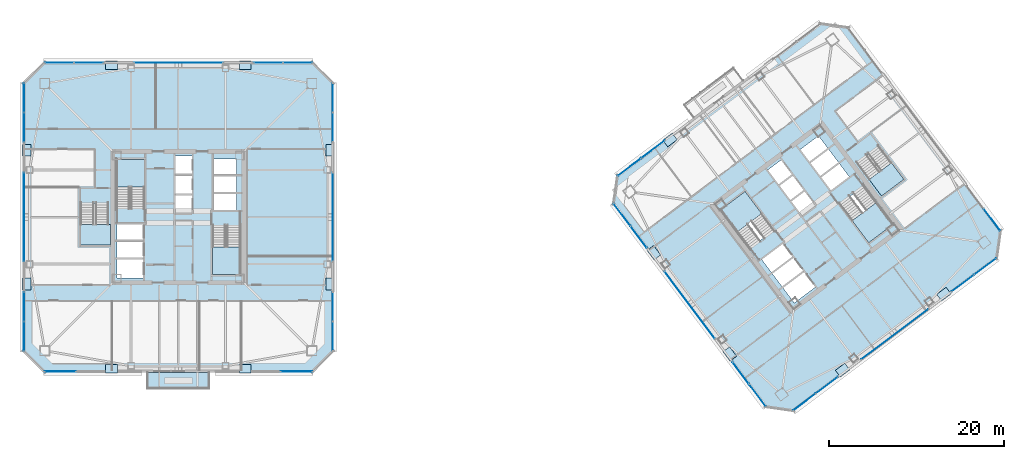
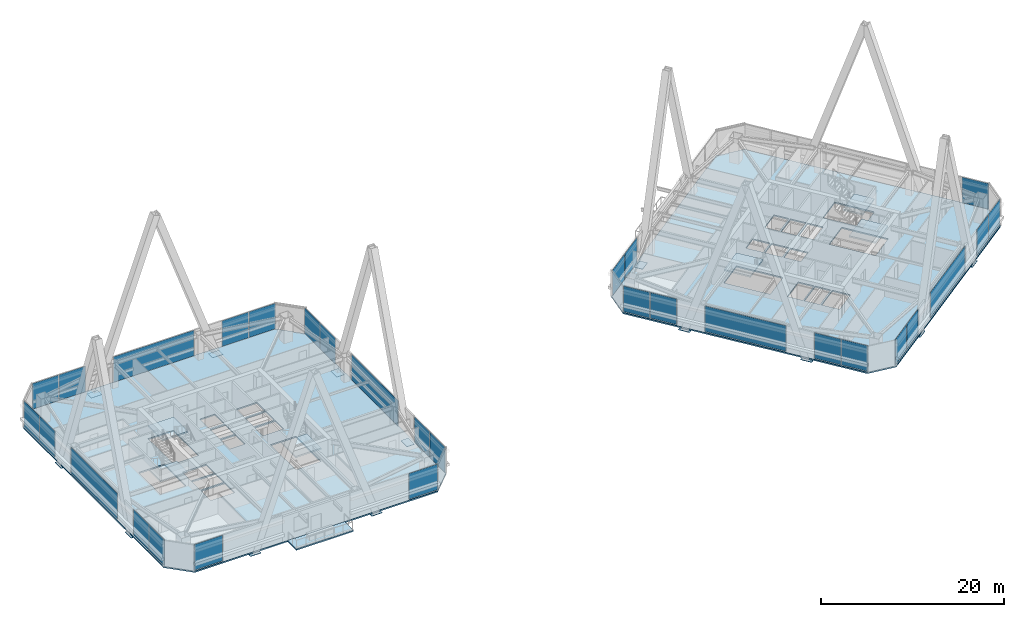
# One storey, part 43 of 55: 43 plates, 9 slabs, 25 elements without a shape of their own.
"""IFC4 building model written with IfcOpenShell, lengths in metres."""

from ifc_helpers import new_model, si_unit, direction, frame, origin, origin_2d, place, context, subcontext, project, spatial, polyline, rectangle, outline, extrude, material, layer, layer_set, type_object, element, aggregate, save


model = new_model("IFC4")

# Units and contexts
model_context = context("Model", 3, precision=1e-05, world=origin(), true_north=direction((0.0, 1.0)))
body_context = subcontext(model_context, "Body", "Model", "MODEL_VIEW")
ifc_project = project(units=[si_unit("LENGTHUNIT", "METRE"), si_unit("AREAUNIT", "SQUARE_METRE"), si_unit("VOLUMEUNIT", "CUBIC_METRE"), si_unit("PLANEANGLEUNIT", "RADIAN"), si_unit("MASSUNIT", "GRAM", prefix="KILO")], contexts=[model_context])

# Site, building, storey
site_placement = place(None, origin())
site = spatial("IfcSite", under=ifc_project, at=site_placement, CompositionType="ELEMENT")
building_placement = place(site_placement, origin())
building = spatial("IfcBuilding", under=site, at=building_placement, Name="Tashvorn Skyway Center", CompositionType="ELEMENT")
storey_placement = place(building_placement, frame((0.0, 0.0, 178.300048828125)))
storey = spatial("IfcBuildingStorey", under=building, at=storey_placement, Name="L48", CompositionType="ELEMENT", Elevation=178.300048828125)

# Curtain wall, plate
ifc_material_1 = material(Name="Thermally broken bronze-anodized aluminium 6063-T6", Category="aluminium")
curtain_wall_type = type_object("IfcCurtainWallType", Name="CW-CW-Z4", PredefinedType="NOTDEFINED", material=ifc_material_1)
curtain_wall_1_placement = place(storey_placement, origin())
curtain_wall_1 = element("IfcCurtainWall", 1, at=curtain_wall_1_placement, inside=storey, type_object=curtain_wall_type, Name="Tower 1 L48 South Curtain Wall L Glazing Group 1", PredefinedType="NOTDEFINED")
ifc_material_2 = material(Name="Low-E solar-control double insulating safety glass", Category="glass")
ifc_layer_1 = layer(ifc_material_2, 0.035888671875)
ifc_layer_set_1 = layer_set([ifc_layer_1], Name="Low-E solar-control double insulating safety glass")
plate_type_1 = type_object("IfcPlateType", Name="CWP-CW-Z4", PredefinedType="CURTAIN_PANEL", material=ifc_layer_set_1)
plate_1_placement = place(storey_placement, frame((55.52490234375, 14.320068359375, 0.06982421875), z_axis=(0.0, 0.0, 1.0), x_axis=(-1.0, 0.0, 0.0)))
plate_1 = element("IfcPlate", 2, at=plate_1_placement, type_object=plate_type_1, Name="CW-Z4 panel 1.1", PredefinedType="CURTAIN_PANEL", context=body_context, shape_type="SweptSolid", body=[
    extrude(rectangle(XDim=3.570068359375, YDim=0.035888671875, at=origin_2d()), origin(), (0.0, 0.0, 1.0), 3.409912109375),
])
aggregate(curtain_wall_1, [plate_1])

curtain_wall_2_placement = place(storey_placement, origin())
curtain_wall_2 = element("IfcCurtainWall", 3, at=curtain_wall_2_placement, inside=storey, type_object=curtain_wall_type, Name="Tower 1 L48 South Curtain Wall R Glazing Group 1", PredefinedType="NOTDEFINED")
plate_2_placement = place(storey_placement, frame((28.47509765625, 14.320068359375, 0.06982421875), z_axis=(0.0, 0.0, 1.0), x_axis=(-1.0, 0.0, 0.0)))
plate_2 = element("IfcPlate", 4, at=plate_2_placement, type_object=plate_type_1, Name="CW-Z4 panel 1.1", PredefinedType="CURTAIN_PANEL", context=body_context, shape_type="SweptSolid", body=[
    extrude(rectangle(XDim=3.570068359375, YDim=0.035888671875, at=origin_2d()), origin(), (0.0, 0.0, 1.0), 3.409912109375),
])
aggregate(curtain_wall_2, [plate_2])

# Curtain wall, plates
curtain_wall_3_placement = place(storey_placement, origin())
curtain_wall_3 = element("IfcCurtainWall", 5, at=curtain_wall_3_placement, inside=storey, type_object=curtain_wall_type, Name="Tower 1 L48 West Unitised Curtain Wall Glazing Group 1", PredefinedType="NOTDEFINED")
plate_3_placement = place(storey_placement, frame((24.320068359375, 18.346435546875, 0.06982421875), z_axis=(0.0, 0.0, 1.0), x_axis=(0.0, 1.0, 0.0)))
plate_3 = element("IfcPlate", 6, at=plate_3_placement, type_object=plate_type_1, Name="CW-Z4 panel 1.1", PredefinedType="CURTAIN_PANEL", context=body_context, shape_type="SweptSolid", body=[
    extrude(rectangle(XDim=3.312744140625, YDim=0.035888671875, at=origin_2d()), origin(), (0.0, 0.0, 1.0), 3.409912109375),
])
plate_4_placement = place(storey_placement, frame((24.320068359375, 21.729248046875, 0.06982421875), z_axis=(0.0, 0.0, 1.0), x_axis=(0.0, 1.0, 0.0)))
plate_4 = element("IfcPlate", 7, at=plate_4_placement, type_object=plate_type_1, Name="CW-Z4 panel 2.1", PredefinedType="CURTAIN_PANEL", context=body_context, shape_type="SweptSolid", body=[
    extrude(rectangle(XDim=3.312744140625, YDim=0.035888671875, at=origin_2d()), origin(), (0.0, 0.0, 1.0), 3.409912109375),
])
aggregate(curtain_wall_3, [plate_3, plate_4])

# Curtain wall, plate
curtain_wall_4_placement = place(storey_placement, origin())
curtain_wall_4 = element("IfcCurtainWall", 8, at=curtain_wall_4_placement, inside=storey, type_object=curtain_wall_type, Name="Tower 1 L48 West Unitised Curtain Wall Glazing Group 2", PredefinedType="NOTDEFINED")
plate_5_placement = place(storey_placement, frame((24.320068359375, 32.0, 0.06982421875), z_axis=(0.0, 0.0, 1.0), x_axis=(0.0, 1.0, 0.0)))
plate_5 = element("IfcPlate", 9, at=plate_5_placement, type_object=plate_type_1, Name="CW-Z4 panel 1.1", PredefinedType="CURTAIN_PANEL", context=body_context, shape_type="SweptSolid", body=[
    extrude(rectangle(XDim=10.11328125, YDim=0.035888671875, at=origin_2d()), origin(), (0.0, 0.0, 1.0), 3.409912109375),
])
aggregate(curtain_wall_4, [plate_5])

# Curtain wall, plates
curtain_wall_5_placement = place(storey_placement, origin())
curtain_wall_5 = element("IfcCurtainWall", 10, at=curtain_wall_5_placement, inside=storey, type_object=curtain_wall_type, Name="Tower 1 L48 West Unitised Curtain Wall Glazing Group 3", PredefinedType="NOTDEFINED")
plate_6_placement = place(storey_placement, frame((24.320068359375, 42.270751953125, 0.06982421875), z_axis=(0.0, 0.0, 1.0), x_axis=(0.0, 1.0, 0.0)))
plate_6 = element("IfcPlate", 11, at=plate_6_placement, type_object=plate_type_1, Name="CW-Z4 panel 1.1", PredefinedType="CURTAIN_PANEL", context=body_context, shape_type="SweptSolid", body=[
    extrude(rectangle(XDim=3.312744140625, YDim=0.035888671875, at=origin_2d()), origin(), (0.0, 0.0, 1.0), 3.409912109375),
])
plate_7_placement = place(storey_placement, frame((24.320068359375, 45.653564453125, 0.06982421875), z_axis=(0.0, 0.0, 1.0), x_axis=(0.0, 1.0, 0.0)))
plate_7 = element("IfcPlate", 12, at=plate_7_placement, type_object=plate_type_1, Name="CW-Z4 panel 2.1", PredefinedType="CURTAIN_PANEL", context=body_context, shape_type="SweptSolid", body=[
    extrude(rectangle(XDim=3.312744140625, YDim=0.035888671875, at=origin_2d()), origin(), (0.0, 0.0, 1.0), 3.409912109375),
])
aggregate(curtain_wall_5, [plate_6, plate_7])

curtain_wall_6_placement = place(storey_placement, origin())
curtain_wall_6 = element("IfcCurtainWall", 13, at=curtain_wall_6_placement, inside=storey, type_object=curtain_wall_type, Name="Tower 1 L48 North Unitised Curtain Wall Glazing Group 1", PredefinedType="NOTDEFINED")
plate_8_placement = place(storey_placement, frame((28.346435546875, 49.679931640625, 0.06982421875), z_axis=(0.0, 0.0, 1.0), x_axis=(1.0, 0.0, 0.0)))
plate_8 = element("IfcPlate", 14, at=plate_8_placement, type_object=plate_type_1, Name="CW-Z4 panel 1.1", PredefinedType="CURTAIN_PANEL", context=body_context, shape_type="SweptSolid", body=[
    extrude(rectangle(XDim=3.312744140625, YDim=0.035888671875, at=origin_2d()), origin(), (0.0, 0.0, 1.0), 3.409912109375),
])
plate_9_placement = place(storey_placement, frame((31.729248046875, 49.679931640625, 0.06982421875), z_axis=(0.0, 0.0, 1.0), x_axis=(1.0, 0.0, 0.0)))
plate_9 = element("IfcPlate", 15, at=plate_9_placement, type_object=plate_type_1, Name="CW-Z4 panel 2.1", PredefinedType="CURTAIN_PANEL", context=body_context, shape_type="SweptSolid", body=[
    extrude(rectangle(XDim=3.312744140625, YDim=0.035888671875, at=origin_2d()), origin(), (0.0, 0.0, 1.0), 3.409912109375),
])
aggregate(curtain_wall_6, [plate_8, plate_9])

# Curtain wall, plate
curtain_wall_7_placement = place(storey_placement, origin())
curtain_wall_7 = element("IfcCurtainWall", 16, at=curtain_wall_7_placement, inside=storey, type_object=curtain_wall_type, Name="Tower 1 L48 North Unitised Curtain Wall Glazing Group 2", PredefinedType="NOTDEFINED")
plate_10_placement = place(storey_placement, frame((42.0, 49.679931640625, 0.06982421875), z_axis=(0.0, 0.0, 1.0), x_axis=(1.0, 0.0, 0.0)))
plate_10 = element("IfcPlate", 17, at=plate_10_placement, type_object=plate_type_1, Name="CW-Z4 panel 1.1", PredefinedType="CURTAIN_PANEL", context=body_context, shape_type="SweptSolid", body=[
    extrude(rectangle(XDim=10.11328125, YDim=0.035888671875, at=origin_2d()), origin(), (0.0, 0.0, 1.0), 3.409912109375),
])
aggregate(curtain_wall_7, [plate_10])

# Curtain wall, plates
curtain_wall_8_placement = place(storey_placement, origin())
curtain_wall_8 = element("IfcCurtainWall", 18, at=curtain_wall_8_placement, inside=storey, type_object=curtain_wall_type, Name="Tower 1 L48 North Unitised Curtain Wall Glazing Group 3", PredefinedType="NOTDEFINED")
plate_11_placement = place(storey_placement, frame((52.270751953125, 49.679931640625, 0.06982421875), z_axis=(0.0, 0.0, 1.0), x_axis=(1.0, 0.0, 0.0)))
plate_11 = element("IfcPlate", 19, at=plate_11_placement, type_object=plate_type_1, Name="CW-Z4 panel 1.1", PredefinedType="CURTAIN_PANEL", context=body_context, shape_type="SweptSolid", body=[
    extrude(rectangle(XDim=3.312744140625, YDim=0.035888671875, at=origin_2d()), origin(), (0.0, 0.0, 1.0), 3.409912109375),
])
plate_12_placement = place(storey_placement, frame((55.653564453125, 49.679931640625, 0.06982421875), z_axis=(0.0, 0.0, 1.0), x_axis=(1.0, 0.0, 0.0)))
plate_12 = element("IfcPlate", 20, at=plate_12_placement, type_object=plate_type_1, Name="CW-Z4 panel 2.1", PredefinedType="CURTAIN_PANEL", context=body_context, shape_type="SweptSolid", body=[
    extrude(rectangle(XDim=3.312744140625, YDim=0.035888671875, at=origin_2d()), origin(), (0.0, 0.0, 1.0), 3.409912109375),
])
aggregate(curtain_wall_8, [plate_11, plate_12])

curtain_wall_9_placement = place(storey_placement, origin())
curtain_wall_9 = element("IfcCurtainWall", 21, at=curtain_wall_9_placement, inside=storey, type_object=curtain_wall_type, Name="Tower 1 L48 East Unitised Curtain Wall Glazing Group 1", PredefinedType="NOTDEFINED")
plate_13_placement = place(storey_placement, frame((59.679931640625, 45.653564453125, 0.06982421875), z_axis=(0.0, 0.0, 1.0), x_axis=(0.0, -1.0, 0.0)))
plate_13 = element("IfcPlate", 22, at=plate_13_placement, type_object=plate_type_1, Name="CW-Z4 panel 1.1", PredefinedType="CURTAIN_PANEL", context=body_context, shape_type="SweptSolid", body=[
    extrude(rectangle(XDim=3.312744140625, YDim=0.035888671875, at=origin_2d()), origin(), (0.0, 0.0, 1.0), 3.409912109375),
])
plate_14_placement = place(storey_placement, frame((59.679931640625, 42.270751953125, 0.06982421875), z_axis=(0.0, 0.0, 1.0), x_axis=(0.0, -1.0, 0.0)))
plate_14 = element("IfcPlate", 23, at=plate_14_placement, type_object=plate_type_1, Name="CW-Z4 panel 2.1", PredefinedType="CURTAIN_PANEL", context=body_context, shape_type="SweptSolid", body=[
    extrude(rectangle(XDim=3.312744140625, YDim=0.035888671875, at=origin_2d()), origin(), (0.0, 0.0, 1.0), 3.409912109375),
])
aggregate(curtain_wall_9, [plate_13, plate_14])

# Curtain wall, plate
curtain_wall_10_placement = place(storey_placement, origin())
curtain_wall_10 = element("IfcCurtainWall", 24, at=curtain_wall_10_placement, inside=storey, type_object=curtain_wall_type, Name="Tower 1 L48 East Unitised Curtain Wall Glazing Group 2", PredefinedType="NOTDEFINED")
plate_15_placement = place(storey_placement, frame((59.679931640625, 32.0, 0.06982421875), z_axis=(0.0, 0.0, 1.0), x_axis=(0.0, -1.0, 0.0)))
plate_15 = element("IfcPlate", 25, at=plate_15_placement, type_object=plate_type_1, Name="CW-Z4 panel 1.1", PredefinedType="CURTAIN_PANEL", context=body_context, shape_type="SweptSolid", body=[
    extrude(rectangle(XDim=10.11328125, YDim=0.035888671875, at=origin_2d()), origin(), (0.0, 0.0, 1.0), 3.409912109375),
])
aggregate(curtain_wall_10, [plate_15])

# Curtain wall, plates
curtain_wall_11_placement = place(storey_placement, origin())
curtain_wall_11 = element("IfcCurtainWall", 26, at=curtain_wall_11_placement, inside=storey, type_object=curtain_wall_type, Name="Tower 1 L48 East Unitised Curtain Wall Glazing Group 3", PredefinedType="NOTDEFINED")
plate_16_placement = place(storey_placement, frame((59.679931640625, 21.729248046875, 0.06982421875), z_axis=(0.0, 0.0, 1.0), x_axis=(0.0, -1.0, 0.0)))
plate_16 = element("IfcPlate", 27, at=plate_16_placement, type_object=plate_type_1, Name="CW-Z4 panel 1.1", PredefinedType="CURTAIN_PANEL", context=body_context, shape_type="SweptSolid", body=[
    extrude(rectangle(XDim=3.312744140625, YDim=0.035888671875, at=origin_2d()), origin(), (0.0, 0.0, 1.0), 3.409912109375),
])
plate_17_placement = place(storey_placement, frame((59.679931640625, 18.346435546875, 0.06982421875), z_axis=(0.0, 0.0, 1.0), x_axis=(0.0, -1.0, 0.0)))
plate_17 = element("IfcPlate", 28, at=plate_17_placement, type_object=plate_type_1, Name="CW-Z4 panel 2.1", PredefinedType="CURTAIN_PANEL", context=body_context, shape_type="SweptSolid", body=[
    extrude(rectangle(XDim=3.312744140625, YDim=0.035888671875, at=origin_2d()), origin(), (0.0, 0.0, 1.0), 3.409912109375),
])
aggregate(curtain_wall_11, [plate_16, plate_17])

curtain_wall_12_placement = place(storey_placement, origin())
curtain_wall_12 = element("IfcCurtainWall", 29, at=curtain_wall_12_placement, inside=storey, type_object=curtain_wall_type, Name="Tower 2 L48 South Unitised Curtain Wall Glazing Group 1", PredefinedType="NOTDEFINED")
plate_18_placement = place(storey_placement, frame((134.422119140625, 26.341552734375, 0.06982421875), z_axis=(0.0, 0.0, 1.0), x_axis=(-0.799999999998, -0.600000000002, 0.0)))
plate_18 = element("IfcPlate", 30, at=plate_18_placement, type_object=plate_type_1, Name="CW-Z4 panel 1.1", PredefinedType="CURTAIN_PANEL", context=body_context, shape_type="SweptSolid", body=[
    extrude(rectangle(XDim=3.135009765625, YDim=0.035888671875, at=origin_2d()), origin(), (0.0, 0.0, 1.0), 3.409912109375),
])
plate_19_placement = place(storey_placement, frame((131.85791015625, 24.41845703125, 0.06982421875), z_axis=(0.0, 0.0, 1.0), x_axis=(-0.799999999998, -0.600000000002, 0.0)))
plate_19 = element("IfcPlate", 31, at=plate_19_placement, type_object=plate_type_1, Name="CW-Z4 panel 2.1", PredefinedType="CURTAIN_PANEL", context=body_context, shape_type="SweptSolid", body=[
    extrude(rectangle(XDim=3.135009765625, YDim=0.035888671875, at=origin_2d()), origin(), (0.0, 0.0, 1.0), 3.409912109375),
])
aggregate(curtain_wall_12, [plate_18, plate_19])

# Curtain wall, plate
curtain_wall_13_placement = place(storey_placement, origin())
curtain_wall_13 = element("IfcCurtainWall", 32, at=curtain_wall_13_placement, inside=storey, type_object=curtain_wall_type, Name="Tower 2 L48 South Unitised Curtain Wall Glazing Group 2", PredefinedType="NOTDEFINED")
plate_20_placement = place(storey_placement, frame((124.068115234375, 18.575927734375, 0.06982421875), z_axis=(0.0, 0.0, 1.0), x_axis=(-0.799999999998, -0.600000000002, 0.0)))
plate_20 = element("IfcPlate", 33, at=plate_20_placement, type_object=plate_type_1, Name="CW-Z4 panel 1.1", PredefinedType="CURTAIN_PANEL", context=body_context, shape_type="SweptSolid", body=[
    extrude(rectangle(XDim=9.580078125, YDim=0.035888671875, at=origin_2d()), origin(), (0.0, 0.0, 1.0), 3.409912109375),
])
aggregate(curtain_wall_13, [plate_20])

# Curtain wall, plates
curtain_wall_14_placement = place(storey_placement, origin())
curtain_wall_14 = element("IfcCurtainWall", 34, at=curtain_wall_14_placement, inside=storey, type_object=curtain_wall_type, Name="Tower 2 L48 South Unitised Curtain Wall Glazing Group 3", PredefinedType="NOTDEFINED")
plate_21_placement = place(storey_placement, frame((116.278076171875, 12.7333984375, 0.06982421875), z_axis=(0.0, 0.0, 1.0), x_axis=(-0.799999999998, -0.600000000002, 0.0)))
plate_21 = element("IfcPlate", 35, at=plate_21_placement, type_object=plate_type_1, Name="CW-Z4 panel 1.1", PredefinedType="CURTAIN_PANEL", context=body_context, shape_type="SweptSolid", body=[
    extrude(rectangle(XDim=3.135009765625, YDim=0.035888671875, at=origin_2d()), origin(), (0.0, 0.0, 1.0), 3.409912109375),
])
plate_22_placement = place(storey_placement, frame((113.714111328125, 10.810546875, 0.06982421875), z_axis=(0.0, 0.0, 1.0), x_axis=(-0.799999999998, -0.600000000002, 0.0)))
plate_22 = element("IfcPlate", 36, at=plate_22_placement, type_object=plate_type_1, Name="CW-Z4 panel 2.1", PredefinedType="CURTAIN_PANEL", context=body_context, shape_type="SweptSolid", body=[
    extrude(rectangle(XDim=3.135009765625, YDim=0.035888671875, at=origin_2d()), origin(), (0.0, 0.0, 1.0), 3.409912109375),
])
aggregate(curtain_wall_14, [plate_21, plate_22])

curtain_wall_15_placement = place(storey_placement, origin())
curtain_wall_15 = element("IfcCurtainWall", 37, at=curtain_wall_15_placement, inside=storey, type_object=curtain_wall_type, Name="Tower 2 L48 West Unitised Curtain Wall Glazing Group 1", PredefinedType="NOTDEFINED")
plate_23_placement = place(storey_placement, frame((108.341552734375, 11.577880859375, 0.06982421875), z_axis=(0.0, 0.0, 1.0), x_axis=(-0.600000000002, 0.799999999998, 0.0)))
plate_23 = element("IfcPlate", 38, at=plate_23_placement, type_object=plate_type_1, Name="CW-Z4 panel 1.1", PredefinedType="CURTAIN_PANEL", context=body_context, shape_type="SweptSolid", body=[
    extrude(rectangle(XDim=3.135009765625, YDim=0.035888671875, at=origin_2d()), origin(), (0.0, 0.0, 1.0), 3.409912109375),
])
plate_24_placement = place(storey_placement, frame((106.41845703125, 14.14208984375, 0.06982421875), z_axis=(0.0, 0.0, 1.0), x_axis=(-0.600000000002, 0.799999999998, 0.0)))
plate_24 = element("IfcPlate", 39, at=plate_24_placement, type_object=plate_type_1, Name="CW-Z4 panel 2.1", PredefinedType="CURTAIN_PANEL", context=body_context, shape_type="SweptSolid", body=[
    extrude(rectangle(XDim=3.135009765625, YDim=0.035888671875, at=origin_2d()), origin(), (0.0, 0.0, 1.0), 3.409912109375),
])
aggregate(curtain_wall_15, [plate_23, plate_24])

# Curtain wall, plate
curtain_wall_16_placement = place(storey_placement, origin())
curtain_wall_16 = element("IfcCurtainWall", 40, at=curtain_wall_16_placement, inside=storey, type_object=curtain_wall_type, Name="Tower 2 L48 West Unitised Curtain Wall Glazing Group 2", PredefinedType="NOTDEFINED")
plate_25_placement = place(storey_placement, frame((100.575927734375, 21.931884765625, 0.06982421875), z_axis=(0.0, 0.0, 1.0), x_axis=(-0.600000000002, 0.799999999998, 0.0)))
plate_25 = element("IfcPlate", 41, at=plate_25_placement, type_object=plate_type_1, Name="CW-Z4 panel 1.1", PredefinedType="CURTAIN_PANEL", context=body_context, shape_type="SweptSolid", body=[
    extrude(rectangle(XDim=9.580078125, YDim=0.035888671875, at=origin_2d()), origin(), (0.0, 0.0, 1.0), 3.409912109375),
])
aggregate(curtain_wall_16, [plate_25])

# Curtain wall, plates
curtain_wall_17_placement = place(storey_placement, origin())
curtain_wall_17 = element("IfcCurtainWall", 42, at=curtain_wall_17_placement, inside=storey, type_object=curtain_wall_type, Name="Tower 2 L48 West Unitised Curtain Wall Glazing Group 3", PredefinedType="NOTDEFINED")
plate_26_placement = place(storey_placement, frame((94.7333984375, 29.721923828125, 0.06982421875), z_axis=(0.0, 0.0, 1.0), x_axis=(-0.600000000002, 0.799999999998, 0.0)))
plate_26 = element("IfcPlate", 43, at=plate_26_placement, type_object=plate_type_1, Name="CW-Z4 panel 1.1", PredefinedType="CURTAIN_PANEL", context=body_context, shape_type="SweptSolid", body=[
    extrude(rectangle(XDim=3.135009765625, YDim=0.035888671875, at=origin_2d()), origin(), (0.0, 0.0, 1.0), 3.409912109375),
])
plate_27_placement = place(storey_placement, frame((92.810546875, 32.285888671875, 0.06982421875), z_axis=(0.0, 0.0, 1.0), x_axis=(-0.600000000002, 0.799999999998, 0.0)))
plate_27 = element("IfcPlate", 44, at=plate_27_placement, type_object=plate_type_1, Name="CW-Z4 panel 2.1", PredefinedType="CURTAIN_PANEL", context=body_context, shape_type="SweptSolid", body=[
    extrude(rectangle(XDim=3.135009765625, YDim=0.035888671875, at=origin_2d()), origin(), (0.0, 0.0, 1.0), 3.409912109375),
])
aggregate(curtain_wall_17, [plate_26, plate_27])

curtain_wall_18_placement = place(storey_placement, origin())
curtain_wall_18 = element("IfcCurtainWall", 45, at=curtain_wall_18_placement, inside=storey, type_object=curtain_wall_type, Name="Tower 2 L48 North Curtain Wall L Glazing Group 1", PredefinedType="NOTDEFINED")
plate_28_placement = place(storey_placement, frame((93.659423828125, 37.719482421875, 0.06982421875), z_axis=(0.0, 0.0, 1.0), x_axis=(0.79999825749, 0.60000232334, 0.0)))
plate_28 = element("IfcPlate", 46, at=plate_28_placement, type_object=plate_type_1, Name="CW-Z4 panel 1.1", PredefinedType="CURTAIN_PANEL", context=body_context, shape_type="SweptSolid", body=[
    extrude(rectangle(XDim=3.33837890625, YDim=0.035888671875, at=origin_2d()), origin(), (0.0, 0.0, 1.0), 3.409912109375),
])
plate_29_placement = place(storey_placement, frame((96.385986328125, 39.764404296875, 0.06982421875), z_axis=(0.0, 0.0, 1.0), x_axis=(0.79999825749, 0.60000232334, 0.0)))
plate_29 = element("IfcPlate", 47, at=plate_29_placement, type_object=plate_type_1, Name="CW-Z4 panel 2.1", PredefinedType="CURTAIN_PANEL", context=body_context, shape_type="SweptSolid", body=[
    extrude(rectangle(XDim=3.33837890625, YDim=0.035888671875, at=origin_2d()), origin(), (0.0, 0.0, 1.0), 3.409912109375),
])
aggregate(curtain_wall_18, [plate_28, plate_29])

# Curtain wall, plate
curtain_wall_19_placement = place(storey_placement, origin())
curtain_wall_19 = element("IfcCurtainWall", 48, at=curtain_wall_19_placement, inside=storey, type_object=curtain_wall_type, Name="Tower 2 L48 East Unitised Curtain Wall Glazing Group 3", PredefinedType="NOTDEFINED")
plate_30_placement = place(storey_placement, frame((135.189453125, 31.714111328125, 0.06982421875), z_axis=(0.0, 0.0, 1.0), x_axis=(0.600000000002, -0.799999999998, 0.0)))
plate_30 = element("IfcPlate", 49, at=plate_30_placement, type_object=plate_type_1, Name="CW-Z4 panel 2.1", PredefinedType="CURTAIN_PANEL", context=body_context, shape_type="SweptSolid", body=[
    extrude(rectangle(XDim=3.135009765625, YDim=0.035888671875, at=origin_2d()), origin(), (0.0, 0.0, 1.0), 3.409912109375),
])
aggregate(curtain_wall_19, [plate_30])

# Plates
ifc_material_3 = material(Name="Steel ASTM A572 Grade 50", Category="steel")
ifc_layer_2 = layer(ifc_material_3, 0.044921875)
ifc_layer_set_2 = layer_set([ifc_layer_2], Name="Steel ASTM A572 Grade 50")
plate_type_2 = type_object("IfcPlateType", Name="PLT-GUSSET-45", PredefinedType="USERDEFINED", material=ifc_layer_set_2)
for number, where, z_axis, x_axis, name in (
    (50, (34.35009765625, 14.6201171875, -0.472412109375), (0.0, 0.0, 1.0), (1.0, 0.0, 0.0), "Tower 1 Zone 4 S Mid-Chevron Node Gusset L"),
    (51, (49.64990234375, 14.6201171875, -0.472412109375), (0.0, 0.0, 1.0), (1.0, 0.0, 0.0), "Tower 1 Zone 4 S Mid-Chevron Node Gusset R"),
    (52, (59.3798828125, 24.35009765625, -0.472412109375), (0.0, 0.0, 1.0), (0.0, 1.0, 0.0), "Tower 1 Zone 4 E Mid-Chevron Node Gusset L"),
    (53, (59.3798828125, 39.64990234375, -0.472412109375), (0.0, 0.0, 1.0), (0.0, 1.0, 0.0), "Tower 1 Zone 4 E Mid-Chevron Node Gusset R"),
    (54, (49.64990234375, 49.3798828125, -0.472412109375), (0.0, 0.0, 1.0), (-1.0, 0.0, 0.0), "Tower 1 Zone 4 N Mid-Chevron Node Gusset L"),
    (55, (34.35009765625, 49.3798828125, -0.472412109375), (0.0, 0.0, 1.0), (-1.0, 0.0, 0.0), "Tower 1 Zone 4 N Mid-Chevron Node Gusset R"),
    (56, (24.6201171875, 39.64990234375, -0.472412109375), (0.0, 0.0, 1.0), (0.0, -1.0, 0.0), "Tower 1 Zone 4 W Mid-Chevron Node Gusset L"),
    (57, (24.6201171875, 24.35009765625, -0.472412109375), (0.0, 0.0, 1.0), (0.0, -1.0, 0.0), "Tower 1 Zone 4 W Mid-Chevron Node Gusset R"),
    (58, (118.087890625, 14.466064453125, -0.472412109375), (0.0, 0.0, 1.0), (0.799999996291, 0.600000004945, 0.0), "Tower 2 Zone 4 S Mid-Chevron Node Gusset L"),
    (59, (129.68798828125, 23.166015625, -0.472412109375), (0.0, 0.0, 1.0), (0.799999996291, 0.600000004945, 0.0), "Tower 2 Zone 4 S Mid-Chevron Node Gusset R"),
    (60, (98.31201171875, 40.833984375, -0.472412109375), (0.0, 0.0, 1.0), (-0.799999996291, -0.600000004945, 0.0), "Tower 2 Zone 4 N Mid-Chevron Node Gusset R"),
    (61, (96.466064453125, 27.912109375, -0.472412109375), (0.0, 0.0, 1.0), (0.600000004945, -0.799999996291, 0.0), "Tower 2 Zone 4 W Mid-Chevron Node Gusset L"),
    (62, (105.166015625, 16.31201171875, -0.472412109375), (0.0, 0.0, 1.0), (0.600000004945, -0.799999996291, 0.0), "Tower 2 Zone 4 W Mid-Chevron Node Gusset R"),
):
    element("IfcPlate", number, at=place(storey_placement, frame(where, z_axis=z_axis, x_axis=x_axis)), inside=storey, type_object=plate_type_2, Name=name, ObjectType="GUSSET PLATE", PredefinedType="USERDEFINED", context=body_context, shape_type="SweptSolid", body=[
        extrude(rectangle(XDim=1.35009765625, YDim=0.949951171875, at=origin_2d()), origin(), (0.0, 0.0, 1.0), 0.044921875),
    ])

# Slabs
ifc_material_4 = material(Name="Concrete C40/50", Category="concrete")
ifc_layer_3 = layer(ifc_material_4, 0.179931640625)
ifc_layer_set_3 = layer_set([ifc_layer_3], Name="Concrete C40/50")
slab_type_1 = type_object("IfcSlabType", Name="SLAB-FLR-180", PredefinedType="FLOOR", material=ifc_layer_set_3)
slab_1_placement = place(storey_placement, frame((0.0, 0.0, -0.179931640625)))
element("IfcSlab", 63, at=slab_1_placement, inside=storey, type_object=slab_type_1, Name="Tower 1 L48 Composite Floor Slab", PredefinedType="FLOOR", context=body_context, shape_type="SweptSolid", body=[
    extrude(outline(polyline([(26.699951171875, 14.199951171875), (57.300048828125, 14.199951171875), (59.800048828125, 16.699951171875), (59.800048828125, 47.300048828125), (57.300048828125, 49.800048828125), (26.699951171875, 49.800048828125), (24.199951171875, 47.300048828125), (24.199951171875, 16.699951171875), (26.699951171875, 14.199951171875)]), holes=[polyline([(38.10009765625, 33.080078125), (38.10009765625, 38.60009765625), (34.89990234375, 38.60009765625), (34.89990234375, 33.080078125), (38.10009765625, 33.080078125)]), polyline([(45.89990234375, 30.919921875), (45.89990234375, 25.39990234375), (49.10009765625, 25.39990234375), (49.10009765625, 30.919921875), (45.89990234375, 30.919921875)]), polyline([(30.800048828125, 33.52001953125), (30.800048828125, 28.800048828125), (34.0, 28.800048828125), (34.0, 33.52001953125), (30.800048828125, 33.52001953125)]), polyline([(34.949951171875, 29.35009765625), (37.949951171875, 29.35009765625), (37.949951171875, 31.199951171875), (34.949951171875, 31.199951171875), (34.949951171875, 29.35009765625)]), polyline([(34.949951171875, 27.35009765625), (37.949951171875, 27.35009765625), (37.949951171875, 29.199951171875), (34.949951171875, 29.199951171875), (34.949951171875, 27.35009765625)]), polyline([(34.949951171875, 25.0), (37.949951171875, 25.0), (37.949951171875, 27.14990234375), (34.949951171875, 27.14990234375), (34.949951171875, 25.0)]), polyline([(41.64990234375, 32.449951171875), (43.550048828125, 32.449951171875), (43.550048828125, 34.5), (41.64990234375, 34.5), (41.64990234375, 32.449951171875)]), polyline([(41.64990234375, 34.699951171875), (43.550048828125, 34.699951171875), (43.550048828125, 36.75), (41.64990234375, 36.75), (41.64990234375, 34.699951171875)]), polyline([(41.64990234375, 36.949951171875), (43.550048828125, 36.949951171875), (43.550048828125, 39.0), (41.64990234375, 39.0), (41.64990234375, 36.949951171875)]), polyline([(46.050048828125, 32.800048828125), (48.64990234375, 32.800048828125), (48.64990234375, 34.64990234375), (46.050048828125, 34.64990234375), (46.050048828125, 32.800048828125)]), polyline([(46.050048828125, 34.85009765625), (48.64990234375, 34.85009765625), (48.64990234375, 36.699951171875), (46.050048828125, 36.699951171875), (46.050048828125, 34.85009765625)]), polyline([(46.050048828125, 36.89990234375), (48.64990234375, 36.89990234375), (48.64990234375, 38.64990234375), (46.050048828125, 38.64990234375), (46.050048828125, 36.89990234375)])]), origin(), (0.0, 0.0, 1.0), 0.179931640625),
])
slab_2_placement = place(storey_placement, frame((0.0, 0.0, -0.179931640625)))
element("IfcSlab", 64, at=slab_2_placement, inside=storey, type_object=slab_type_1, Name="Tower 2 L48 Composite Floor Slab", PredefinedType="FLOOR", context=body_context, shape_type="SweptSolid", body=[
    extrude(outline(polyline([(112.5400390625, 9.780029296875), (135.739990234375, 27.179931640625), (136.219970703125, 30.5400390625), (118.820068359375, 53.739990234375), (115.4599609375, 54.219970703125), (92.260009765625, 36.820068359375), (91.780029296875, 33.4599609375), (109.179931640625, 10.260009765625), (112.5400390625, 9.780029296875)]), holes=[polyline([(110.23193359375, 30.52392578125), (106.919921875, 34.93994140625), (104.135986328125, 32.85205078125), (107.447998046875, 28.43603515625), (110.23193359375, 30.52392578125)]), polyline([(117.76806640625, 33.47607421875), (121.080078125, 29.06005859375), (123.864013671875, 31.14794921875), (120.552001953125, 35.56396484375), (117.76806640625, 33.47607421875)]), polyline([(119.7119140625, 38.18408203125), (122.5439453125, 34.407958984375), (125.10400390625, 36.327880859375), (122.27197265625, 40.10400390625), (119.7119140625, 38.18408203125)]), polyline([(109.949951171875, 25.64990234375), (112.35009765625, 27.449951171875), (111.239990234375, 28.929931640625), (108.840087890625, 27.1298828125), (109.949951171875, 25.64990234375)]), polyline([(111.14990234375, 24.050048828125), (113.550048828125, 25.85009765625), (112.43994140625, 27.330078125), (110.0400390625, 25.530029296875), (111.14990234375, 24.050048828125)]), polyline([(112.56005859375, 22.169921875), (114.9599609375, 23.969970703125), (113.669921875, 25.68994140625), (111.27001953125, 23.889892578125), (112.56005859375, 22.169921875)]), polyline([(113.449951171875, 32.14990234375), (114.969970703125, 33.2900390625), (113.739990234375, 34.929931640625), (112.219970703125, 33.7900390625), (113.449951171875, 32.14990234375)]), polyline([(112.10009765625, 33.949951171875), (113.6201171875, 35.090087890625), (112.389892578125, 36.72998046875), (110.8701171875, 35.590087890625), (112.10009765625, 33.949951171875)]), polyline([(110.75, 35.75), (112.27001953125, 36.889892578125), (111.0400390625, 38.530029296875), (109.52001953125, 37.389892578125), (110.75, 35.75)]), polyline([(116.760009765625, 35.070068359375), (118.840087890625, 36.6298828125), (117.72998046875, 38.110107421875), (115.64990234375, 36.550048828125), (116.760009765625, 35.070068359375)]), polyline([(115.530029296875, 36.7099609375), (117.610107421875, 38.27001953125), (116.5, 39.75), (114.419921875, 38.18994140625), (115.530029296875, 36.7099609375)]), polyline([(114.300048828125, 38.35009765625), (116.3798828125, 39.909912109375), (115.330078125, 41.31005859375), (113.25, 39.75), (114.300048828125, 38.35009765625)])]), origin(), (0.0, 0.0, 1.0), 0.179931640625),
])

# Stair, slab
stair_type = type_object("IfcStairType", Name="STAIR-CORE-1500", PredefinedType="HALF_TURN_STAIR", material=ifc_material_4)
stair_1_placement = place(storey_placement, origin())
stair_1 = element("IfcStair", 65, at=stair_1_placement, inside=storey, type_object=stair_type, Name="L48 Tower 1 Exit Stair 1", PredefinedType="HALF_TURN_STAIR")
ifc_layer_4 = layer(ifc_material_4, 0.199951171875)
ifc_layer_set_4 = layer_set([ifc_layer_4], Name="Concrete C40/50")
slab_type_2 = type_object("IfcSlabType", Name="SLAB-LAND-200", PredefinedType="LANDING", material=ifc_layer_set_4)
slab_3_placement = place(storey_placement, frame((0.0, 0.0, 1.574951171875)))
slab_3 = element("IfcSlab", 66, at=slab_3_placement, type_object=slab_type_2, Name="ST-T1-1 landing 1", PredefinedType="LANDING", context=body_context, shape_type="SweptSolid", body=[
    extrude(outline(polyline([(38.10009765625, 35.43994140625), (38.10009765625, 38.60009765625), (34.89990234375, 38.60009765625), (34.89990234375, 35.43994140625), (38.10009765625, 35.43994140625)])), origin(), (0.0, 0.0, 1.0), 0.199951171875),
])
aggregate(stair_1, [slab_3])

stair_2_placement = place(storey_placement, origin())
stair_2 = element("IfcStair", 67, at=stair_2_placement, inside=storey, type_object=stair_type, Name="L48 Tower 1 Exit Stair 2", PredefinedType="HALF_TURN_STAIR")
slab_4_placement = place(storey_placement, frame((0.0, 0.0, 1.574951171875)))
slab_4 = element("IfcSlab", 68, at=slab_4_placement, type_object=slab_type_2, Name="ST-T1-2 landing 1", PredefinedType="LANDING", context=body_context, shape_type="SweptSolid", body=[
    extrude(outline(polyline([(45.89990234375, 28.56005859375), (45.89990234375, 25.39990234375), (49.10009765625, 25.39990234375), (49.10009765625, 28.56005859375), (45.89990234375, 28.56005859375)])), origin(), (0.0, 0.0, 1.0), 0.199951171875),
])
aggregate(stair_2, [slab_4])

stair_3_placement = place(storey_placement, origin())
stair_3 = element("IfcStair", 69, at=stair_3_placement, inside=storey, type_object=stair_type, Name="L48 Tower 2 Exit Stair 1", PredefinedType="HALF_TURN_STAIR")
slab_5_placement = place(storey_placement, frame((0.0, 0.0, 1.574951171875)))
slab_5 = element("IfcSlab", 70, at=slab_5_placement, type_object=slab_type_2, Name="ST-T2-1 landing 1", PredefinedType="LANDING", context=body_context, shape_type="SweptSolid", body=[
    extrude(outline(polyline([(108.82080078125, 32.405517578125), (106.919921875, 34.93994140625), (104.135986328125, 32.85205078125), (106.036865234375, 30.317626953125), (108.82080078125, 32.405517578125)])), origin(), (0.0, 0.0, 1.0), 0.199951171875),
])
aggregate(stair_3, [slab_5])

stair_4_placement = place(storey_placement, origin())
stair_4 = element("IfcStair", 71, at=stair_4_placement, inside=storey, type_object=stair_type, Name="L48 Tower 2 Exit Stair 2", PredefinedType="HALF_TURN_STAIR")
slab_6_placement = place(storey_placement, frame((0.0, 0.0, 1.574951171875)))
slab_6 = element("IfcSlab", 72, at=slab_6_placement, type_object=slab_type_2, Name="ST-T2-2 landing 1", PredefinedType="LANDING", context=body_context, shape_type="SweptSolid", body=[
    extrude(outline(polyline([(119.17919921875, 31.594482421875), (121.080078125, 29.06005859375), (123.864013671875, 31.14794921875), (121.963134765625, 33.682373046875), (119.17919921875, 31.594482421875)])), origin(), (0.0, 0.0, 1.0), 0.199951171875),
])
aggregate(stair_4, [slab_6])

stair_5_placement = place(storey_placement, origin())
stair_5 = element("IfcStair", 73, at=stair_5_placement, inside=storey, type_object=stair_type, Name="L48 Tower 1 Exit Stair 3", PredefinedType="HALF_TURN_STAIR")
slab_7_placement = place(storey_placement, frame((0.0, 0.0, 1.574951171875)))
slab_7 = element("IfcSlab", 74, at=slab_7_placement, type_object=slab_type_2, Name="ST-T1-3 landing 1", PredefinedType="LANDING", context=body_context, shape_type="SweptSolid", body=[
    extrude(outline(polyline([(30.800048828125, 31.159912109375), (30.800048828125, 28.800048828125), (34.199951171875, 28.800048828125), (34.199951171875, 31.159912109375), (30.800048828125, 31.159912109375)])), origin(), (0.0, 0.0, 1.0), 0.199951171875),
])
aggregate(stair_5, [slab_7])

stair_6_placement = place(storey_placement, origin())
stair_6 = element("IfcStair", 75, at=stair_6_placement, inside=storey, type_object=stair_type, Name="L48 Tower 2 Exit Stair 3", PredefinedType="HALF_TURN_STAIR")
slab_8_placement = place(storey_placement, frame((0.0, 0.0, 1.574951171875)))
slab_8 = element("IfcSlab", 76, at=slab_8_placement, type_object=slab_type_2, Name="ST-T2-3 landing 1", PredefinedType="LANDING", context=body_context, shape_type="SweptSolid", body=[
    extrude(outline(polyline([(121.123291015625, 36.302490234375), (122.5439453125, 34.407958984375), (125.10400390625, 36.327880859375), (123.68310546875, 38.222412109375), (121.123291015625, 36.302490234375)])), origin(), (0.0, 0.0, 1.0), 0.199951171875),
])
aggregate(stair_6, [slab_8])

# Slab
ifc_layer_5 = layer(ifc_material_4, 0.179931640625)
ifc_layer_set_5 = layer_set([ifc_layer_5], Name="Concrete C40/50")
slab_type_3 = type_object("IfcSlabType", Name="SLAB-TERR-200", PredefinedType="FLOOR", material=ifc_layer_set_5)
slab_9_placement = place(storey_placement, frame((0.0, 0.0, -0.179931640625)))
element("IfcSlab", 77, at=slab_9_placement, inside=storey, type_object=slab_type_3, Name="Tower 1 L48 Spiral Planted Terrace Slab", PredefinedType="FLOOR", context=body_context, shape_type="SweptSolid", body=[
    extrude(outline(polyline([(38.39990234375, 12.300048828125), (45.60009765625, 12.300048828125), (45.60009765625, 14.2099609375), (38.39990234375, 14.2099609375), (38.39990234375, 12.300048828125)])), origin(), (0.0, 0.0, 1.0), 0.179931640625),
])

save(model, "model.ifc")
